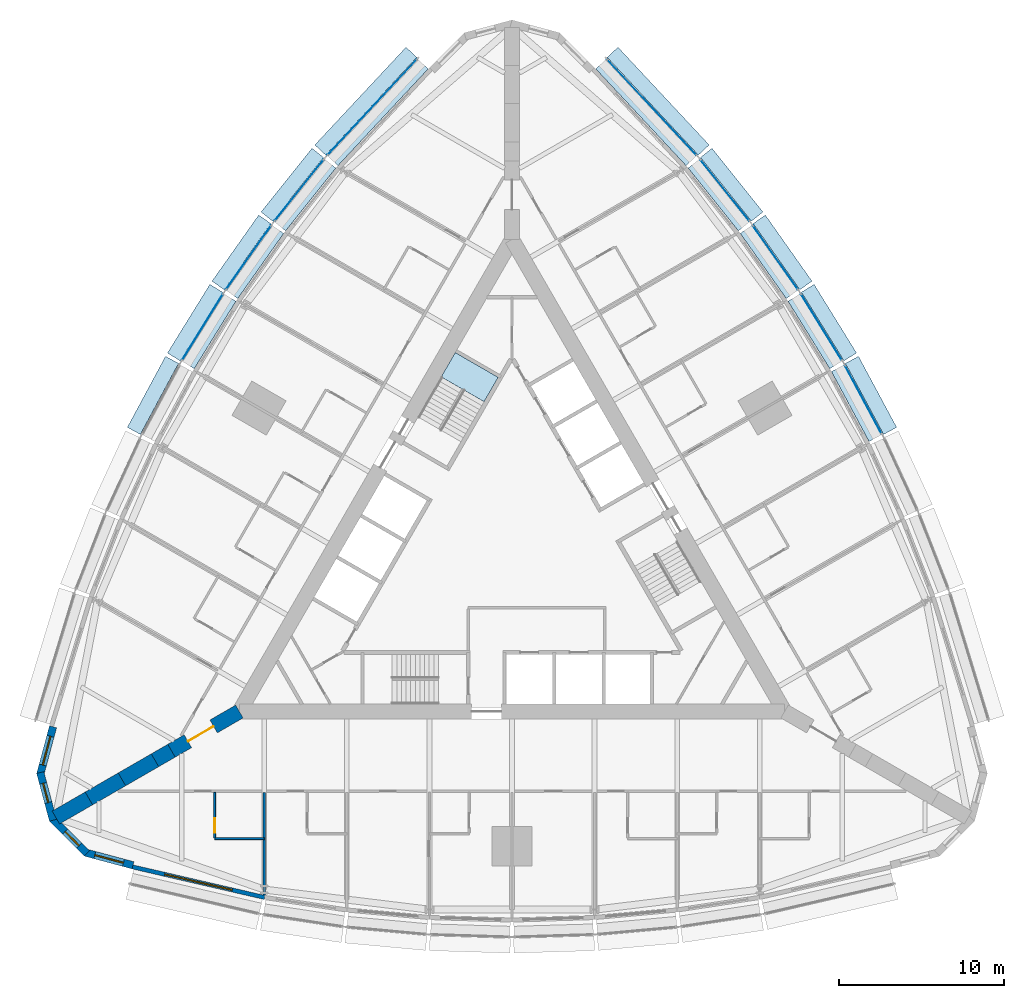
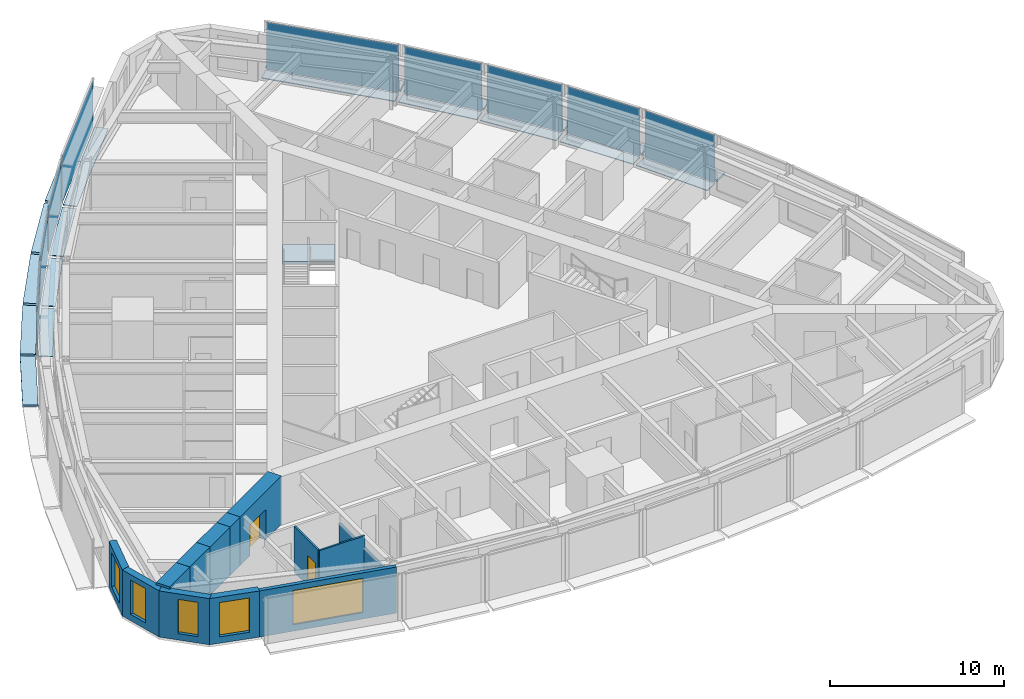
# One storey, part 7 of 14: 28 plates, 13 walls, 5 windows, 2 doors, 1 slab, 7 openings, 10 elements without a shape of their own.
"""IFC4 building model written with IfcOpenShell, lengths in metres."""

from ifc_helpers import new_model, si_unit, direction, frame, frame_2d, origin, origin_2d, place, context, subcontext, project, spatial, polyline, rectangle, outline, extrude, material, layer, layer_set, type_object, element, fill, aggregate, save


model = new_model("IFC4")

# Units and contexts
model_context = context("Model", 3, precision=1e-05, world=origin(), true_north=direction((0.0, 1.0)))
body_context = subcontext(model_context, "Body", "Model", "MODEL_VIEW")
ifc_project = project(units=[si_unit("LENGTHUNIT", "METRE"), si_unit("AREAUNIT", "SQUARE_METRE"), si_unit("VOLUMEUNIT", "CUBIC_METRE"), si_unit("PLANEANGLEUNIT", "RADIAN"), si_unit("MASSUNIT", "GRAM", prefix="KILO")], contexts=[model_context])

# Site, building, storey
site_placement = place(None, origin())
site = spatial("IfcSite", under=ifc_project, at=site_placement, CompositionType="ELEMENT")
building_placement = place(site_placement, origin())
building = spatial("IfcBuilding", under=site, at=building_placement, Name="Trikona Tower", CompositionType="ELEMENT")
storey_placement = place(building_placement, frame((0.0, 0.0, 69.300048828125)))
storey = spatial("IfcBuildingStorey", under=building, at=storey_placement, Name="L17", CompositionType="ELEMENT", Elevation=69.300048828125)

# Plates
ifc_material_1 = material(Name="Aluminium bar grating", Category="aluminium")
ifc_layer_1 = layer(ifc_material_1, 0.050048828125)
ifc_layer_set_1 = layer_set([ifc_layer_1], Name="Cavity catwalk grating")
plate_type_1 = type_object("IfcPlateType", Name="Cavity catwalk grating", PredefinedType="USERDEFINED", material=ifc_layer_set_1)
for number, where, z_axis, x_axis, name in (
    (1, (20.833740234375, 9.127197265625, -0.05029296875), (0.0, 0.0, 1.0), (-0.473422672721, 0.880835383572, 0.0), "Cavity catwalk L17-15"),
    (2, (18.3212890625, 13.47900390625, -0.05029296875), (0.0, 0.0, 1.0), (-0.526118935114, 0.85041099835, 0.0), "Cavity catwalk L17-16"),
):
    element("IfcPlate", number, at=place(storey_placement, frame(where, z_axis=z_axis, x_axis=x_axis)), inside=storey, type_object=plate_type_1, Name=name, ObjectType="CATWALK GRATING", PredefinedType="USERDEFINED", context=body_context, shape_type="SweptSolid", body=[
        extrude(rectangle(XDim=4.80224609375, YDim=0.820068359375, at=origin_2d()), origin(), (0.0, 0.0, 1.0), 0.050048828125),
    ])
plate_1_placement = place(storey_placement, frame((15.544189453125, 17.677734375, -0.05029296875), z_axis=(0.0, 0.0, 1.0), x_axis=(-0.576661909499, 0.816982889743, 0.0)))
element("IfcPlate", 3, at=plate_1_placement, inside=storey, type_object=plate_type_1, Name="Cavity catwalk L17-17", ObjectType="CATWALK GRATING", PredefinedType="USERDEFINED", context=body_context, shape_type="SweptSolid", body=[
    extrude(rectangle(XDim=4.82080078125, YDim=0.820068359375, at=origin_2d()), origin(), (0.0, 0.0, 1.0), 0.050048828125),
])
plate_2_placement = place(storey_placement, frame((12.502197265625, 21.72314453125, -0.05029296875), z_axis=(0.0, 0.0, 1.0), x_axis=(-0.624603618277, 0.780941944087, 0.0)))
element("IfcPlate", 4, at=plate_2_placement, inside=storey, type_object=plate_type_1, Name="Cavity catwalk L17-18", ObjectType="CATWALK GRATING", PredefinedType="USERDEFINED", context=body_context, shape_type="SweptSolid", body=[
    extrude(rectangle(XDim=4.857666015625, YDim=0.820068359375, at=origin_2d()), origin(), (0.0, 0.0, 1.0), 0.050048828125),
])
for number, where, z_axis, x_axis, name in (
    (5, (8.10107421875, 26.72314453125, -0.05029296875), (0.0, 0.0, 1.0), (-0.682298269147, 0.731073916864, 0.0), "Cavity catwalk L17-19"),
    (6, (-8.10107421875, 26.72314453125, -0.05029296875), (0.0, 0.0, 1.0), (-0.682298269147, -0.731073916864, 0.0), "Cavity catwalk L17-24"),
):
    element("IfcPlate", number, at=place(storey_placement, frame(where, z_axis=z_axis, x_axis=x_axis)), inside=storey, type_object=plate_type_1, Name=name, ObjectType="CATWALK GRATING", PredefinedType="USERDEFINED", context=body_context, shape_type="SweptSolid", body=[
        extrude(rectangle(XDim=8.01123046875, YDim=0.820068359375, at=origin_2d()), origin(), (0.0, 0.0, 1.0), 0.050048828125),
    ])
plate_3_placement = place(storey_placement, frame((-12.502197265625, 21.72314453125, -0.05029296875), z_axis=(0.0, 0.0, 1.0), x_axis=(-0.624603618277, -0.780941944087, 0.0)))
element("IfcPlate", 7, at=plate_3_placement, inside=storey, type_object=plate_type_1, Name="Cavity catwalk L17-25", ObjectType="CATWALK GRATING", PredefinedType="USERDEFINED", context=body_context, shape_type="SweptSolid", body=[
    extrude(rectangle(XDim=4.857666015625, YDim=0.820068359375, at=origin_2d()), origin(), (0.0, 0.0, 1.0), 0.050048828125),
])
plate_4_placement = place(storey_placement, frame((-15.544189453125, 17.677734375, -0.05029296875), z_axis=(0.0, 0.0, 1.0), x_axis=(-0.576661909499, -0.816982889743, 0.0)))
element("IfcPlate", 8, at=plate_4_placement, inside=storey, type_object=plate_type_1, Name="Cavity catwalk L17-26", ObjectType="CATWALK GRATING", PredefinedType="USERDEFINED", context=body_context, shape_type="SweptSolid", body=[
    extrude(rectangle(XDim=4.82080078125, YDim=0.820068359375, at=origin_2d()), origin(), (0.0, 0.0, 1.0), 0.050048828125),
])
plate_5_placement = place(storey_placement, frame((-18.3212890625, 13.47900390625, -0.05029296875), z_axis=(0.0, 0.0, 1.0), x_axis=(-0.526118935114, -0.85041099835, 0.0)))
element("IfcPlate", 9, at=plate_5_placement, inside=storey, type_object=plate_type_1, Name="Cavity catwalk L17-27", ObjectType="CATWALK GRATING", PredefinedType="USERDEFINED", context=body_context, shape_type="SweptSolid", body=[
    extrude(rectangle(XDim=4.80224609375, YDim=0.820068359375, at=origin_2d()), origin(), (0.0, 0.0, 1.0), 0.050048828125),
])

# Curtain wall, plate
ifc_material_2 = material(Name="Aluminium curtain wall system", Category="aluminium")
curtain_wall_type = type_object("IfcCurtainWallType", Name="Curtain wall DS1", PredefinedType="NOTDEFINED", material=ifc_material_2)
curtain_wall_1_placement = place(storey_placement, origin())
curtain_wall_1 = element("IfcCurtainWall", 10, at=curtain_wall_1_placement, inside=storey, type_object=curtain_wall_type, Name="Curtain wall DS1 L17", PredefinedType="NOTDEFINED")
ifc_material_3 = material(Name="Laminated clear glass", Category="glass")
ifc_layer_2 = layer(ifc_material_3, 0.028076171875)
ifc_layer_set_2 = layer_set([ifc_layer_2], Name="Glass panel DS1")
plate_type_2 = type_object("IfcPlateType", Name="Glass panel DS1", PredefinedType="CURTAIN_PANEL", material=ifc_layer_set_2)
plate_6_placement = place(storey_placement, frame((21.265380859375, 9.359130859375, 0.0), z_axis=(0.0, 0.0, 1.0), x_axis=(-0.473408350896, 0.880843080975, 0.0)))
plate_6 = element("IfcPlate", 11, at=plate_6_placement, type_object=plate_type_2, Name="CW-DS1 panel 1.1", PredefinedType="CURTAIN_PANEL", context=body_context, shape_type="SweptSolid", body=[
    extrude(rectangle(XDim=4.72216796875, YDim=0.028076171875, at=origin_2d()), origin(), (0.0, 0.0, 1.0), 3.320068359375),
])
aggregate(curtain_wall_1, [plate_6])

curtain_wall_2_placement = place(storey_placement, origin())
curtain_wall_2 = element("IfcCurtainWall", 12, at=curtain_wall_2_placement, inside=storey, type_object=curtain_wall_type, Name="Curtain wall DS1 L17", PredefinedType="NOTDEFINED")
plate_7_placement = place(storey_placement, frame((18.738037109375, 13.73681640625, 0.0), z_axis=(0.0, 0.0, 1.0), x_axis=(-0.526119790842, 0.850410468941, 0.0)))
plate_7 = element("IfcPlate", 13, at=plate_7_placement, type_object=plate_type_2, Name="CW-DS1 panel 1.1", PredefinedType="CURTAIN_PANEL", context=body_context, shape_type="SweptSolid", body=[
    extrude(rectangle(XDim=4.722412109375, YDim=0.028076171875, at=origin_2d()), origin(), (0.0, 0.0, 1.0), 3.320068359375),
])
aggregate(curtain_wall_2, [plate_7])

curtain_wall_3_placement = place(storey_placement, origin())
curtain_wall_3 = element("IfcCurtainWall", 14, at=curtain_wall_3_placement, inside=storey, type_object=curtain_wall_type, Name="Curtain wall DS1 L17", PredefinedType="NOTDEFINED")
plate_8_placement = place(storey_placement, frame((15.9443359375, 17.960205078125, 0.0), z_axis=(0.0, 0.0, 1.0), x_axis=(-0.576658362928, 0.816985393055, 0.0)))
plate_8 = element("IfcPlate", 15, at=plate_8_placement, type_object=plate_type_2, Name="CW-DS1 panel 1.1", PredefinedType="CURTAIN_PANEL", context=body_context, shape_type="SweptSolid", body=[
    extrude(rectangle(XDim=4.74072265625, YDim=0.028076171875, at=origin_2d()), origin(), (0.0, 0.0, 1.0), 3.320068359375),
])
aggregate(curtain_wall_3, [plate_8])

curtain_wall_4_placement = place(storey_placement, origin())
curtain_wall_4 = element("IfcCurtainWall", 16, at=curtain_wall_4_placement, inside=storey, type_object=curtain_wall_type, Name="Curtain wall DS1 L17", PredefinedType="NOTDEFINED")
plate_9_placement = place(storey_placement, frame((12.884765625, 22.029296875, 0.0), z_axis=(0.0, 0.0, 1.0), x_axis=(-0.624608599951, 0.780937959679, 0.0)))
plate_9 = element("IfcPlate", 17, at=plate_9_placement, type_object=plate_type_2, Name="CW-DS1 panel 1.1", PredefinedType="CURTAIN_PANEL", context=body_context, shape_type="SweptSolid", body=[
    extrude(rectangle(XDim=4.777587890625, YDim=0.028076171875, at=origin_2d()), origin(), (0.0, 0.0, 1.0), 3.320068359375),
])
aggregate(curtain_wall_4, [plate_9])

curtain_wall_5_placement = place(storey_placement, origin())
curtain_wall_5 = element("IfcCurtainWall", 18, at=curtain_wall_5_placement, inside=storey, type_object=curtain_wall_type, Name="Curtain wall DS1 L17", PredefinedType="NOTDEFINED")
plate_10_placement = place(storey_placement, frame((8.459228515625, 27.057373046875, 0.0), z_axis=(0.0, 0.0, 1.0), x_axis=(-0.682295351967, 0.731076639405, 0.0)))
plate_10 = element("IfcPlate", 19, at=plate_10_placement, type_object=plate_type_2, Name="CW-DS1 panel 1.1", PredefinedType="CURTAIN_PANEL", context=body_context, shape_type="SweptSolid", body=[
    extrude(rectangle(XDim=7.93115234375, YDim=0.028076171875, at=origin_2d()), origin(), (0.0, 0.0, 1.0), 3.320068359375),
])
aggregate(curtain_wall_5, [plate_10])

curtain_wall_6_placement = place(storey_placement, origin())
curtain_wall_6 = element("IfcCurtainWall", 20, at=curtain_wall_6_placement, inside=storey, type_object=curtain_wall_type, Name="Curtain wall DS1 L17", PredefinedType="NOTDEFINED")
plate_11_placement = place(storey_placement, frame((-8.459228515625, 27.057373046875, 0.0), z_axis=(0.0, 0.0, 1.0), x_axis=(-0.682295351967, -0.731076639405, 0.0)))
plate_11 = element("IfcPlate", 21, at=plate_11_placement, type_object=plate_type_2, Name="CW-DS1 panel 1.1", PredefinedType="CURTAIN_PANEL", context=body_context, shape_type="SweptSolid", body=[
    extrude(rectangle(XDim=7.93115234375, YDim=0.028076171875, at=origin_2d()), origin(), (0.0, 0.0, 1.0), 3.320068359375),
])
aggregate(curtain_wall_6, [plate_11])

curtain_wall_7_placement = place(storey_placement, origin())
curtain_wall_7 = element("IfcCurtainWall", 22, at=curtain_wall_7_placement, inside=storey, type_object=curtain_wall_type, Name="Curtain wall DS1 L17", PredefinedType="NOTDEFINED")
plate_12_placement = place(storey_placement, frame((-12.884765625, 22.029296875, 0.0), z_axis=(0.0, 0.0, 1.0), x_axis=(-0.624608599951, -0.780937959679, 0.0)))
plate_12 = element("IfcPlate", 23, at=plate_12_placement, type_object=plate_type_2, Name="CW-DS1 panel 1.1", PredefinedType="CURTAIN_PANEL", context=body_context, shape_type="SweptSolid", body=[
    extrude(rectangle(XDim=4.777587890625, YDim=0.028076171875, at=origin_2d()), origin(), (0.0, 0.0, 1.0), 3.320068359375),
])
aggregate(curtain_wall_7, [plate_12])

curtain_wall_8_placement = place(storey_placement, origin())
curtain_wall_8 = element("IfcCurtainWall", 24, at=curtain_wall_8_placement, inside=storey, type_object=curtain_wall_type, Name="Curtain wall DS1 L17", PredefinedType="NOTDEFINED")
plate_13_placement = place(storey_placement, frame((-15.9443359375, 17.960205078125, 0.0), z_axis=(0.0, 0.0, 1.0), x_axis=(-0.576658362928, -0.816985393055, 0.0)))
plate_13 = element("IfcPlate", 25, at=plate_13_placement, type_object=plate_type_2, Name="CW-DS1 panel 1.1", PredefinedType="CURTAIN_PANEL", context=body_context, shape_type="SweptSolid", body=[
    extrude(rectangle(XDim=4.74072265625, YDim=0.028076171875, at=origin_2d()), origin(), (0.0, 0.0, 1.0), 3.320068359375),
])
aggregate(curtain_wall_8, [plate_13])

curtain_wall_9_placement = place(storey_placement, origin())
curtain_wall_9 = element("IfcCurtainWall", 26, at=curtain_wall_9_placement, inside=storey, type_object=curtain_wall_type, Name="Curtain wall DS1 L17", PredefinedType="NOTDEFINED")
plate_14_placement = place(storey_placement, frame((-18.738037109375, 13.73681640625, 0.0), z_axis=(0.0, 0.0, 1.0), x_axis=(-0.526119790842, -0.850410468941, 0.0)))
plate_14 = element("IfcPlate", 27, at=plate_14_placement, type_object=plate_type_2, Name="CW-DS1 panel 1.1", PredefinedType="CURTAIN_PANEL", context=body_context, shape_type="SweptSolid", body=[
    extrude(rectangle(XDim=4.722412109375, YDim=0.028076171875, at=origin_2d()), origin(), (0.0, 0.0, 1.0), 3.320068359375),
])
aggregate(curtain_wall_9, [plate_14])

# Plates
ifc_material_4 = material(Name="Aluminium plate fin, pale anodised, on stainless steel outriggers", Category="steel")
ifc_layer_3 = layer(ifc_material_4, 0.14990234375)
ifc_layer_set_3 = layer_set([ifc_layer_3], Name="Outer skin fin 900")
plate_type_3 = type_object("IfcPlateType", Name="Outer skin fin 900", PredefinedType="USERDEFINED", material=ifc_layer_set_3)
for number, where, z_axis, x_axis, name in (
    (28, (21.732421875, 9.610107421875, 0.0), (0.0, 0.0, 1.0), (-0.473422672721, 0.880835383572, 0.0), "Outer skin fin L17-15"),
    (29, (19.188720703125, 14.015625, 0.0), (0.0, 0.0, 1.0), (-0.526118935114, 0.85041099835, 0.0), "Outer skin fin L17-16"),
):
    element("IfcPlate", number, at=place(storey_placement, frame(where, z_axis=z_axis, x_axis=x_axis)), inside=storey, type_object=plate_type_3, Name=name, ObjectType="FIN", PredefinedType="USERDEFINED", context=body_context, shape_type="SweptSolid", body=[
        extrude(rectangle(XDim=4.88232421875, YDim=0.89990234375, at=origin_2d()), origin(), (0.0, 0.0, 1.0), 0.14990234375),
    ])
plate_15_placement = place(storey_placement, frame((16.37744140625, 18.265869140625, 0.0), z_axis=(0.0, 0.0, 1.0), x_axis=(-0.576661909499, 0.816982889743, 0.0)))
element("IfcPlate", 30, at=plate_15_placement, inside=storey, type_object=plate_type_3, Name="Outer skin fin L17-17", ObjectType="FIN", PredefinedType="USERDEFINED", context=body_context, shape_type="SweptSolid", body=[
    extrude(rectangle(XDim=4.90087890625, YDim=0.89990234375, at=origin_2d()), origin(), (0.0, 0.0, 1.0), 0.14990234375),
])
plate_16_placement = place(storey_placement, frame((13.298583984375, 22.360107421875, 0.0), z_axis=(0.0, 0.0, 1.0), x_axis=(-0.624603618277, 0.780941944087, 0.0)))
element("IfcPlate", 31, at=plate_16_placement, inside=storey, type_object=plate_type_3, Name="Outer skin fin L17-18", ObjectType="FIN", PredefinedType="USERDEFINED", context=body_context, shape_type="SweptSolid", body=[
    extrude(rectangle(XDim=4.9375, YDim=0.89990234375, at=origin_2d()), origin(), (0.0, 0.0, 1.0), 0.14990234375),
])
for number, where, z_axis, x_axis, name in (
    (32, (8.8466796875, 27.419189453125, 0.0), (0.0, 0.0, 1.0), (-0.682298269147, 0.731073916864, 0.0), "Outer skin fin L17-19"),
    (33, (-8.8466796875, 27.419189453125, 0.0), (0.0, 0.0, 1.0), (-0.682298269147, -0.731073916864, 0.0), "Outer skin fin L17-24"),
):
    element("IfcPlate", number, at=place(storey_placement, frame(where, z_axis=z_axis, x_axis=x_axis)), inside=storey, type_object=plate_type_3, Name=name, ObjectType="FIN", PredefinedType="USERDEFINED", context=body_context, shape_type="SweptSolid", body=[
        extrude(rectangle(XDim=8.09130859375, YDim=0.89990234375, at=origin_2d()), origin(), (0.0, 0.0, 1.0), 0.14990234375),
    ])
plate_17_placement = place(storey_placement, frame((-13.298583984375, 22.360107421875, 0.0), z_axis=(0.0, 0.0, 1.0), x_axis=(-0.624603618277, -0.780941944087, 0.0)))
element("IfcPlate", 34, at=plate_17_placement, inside=storey, type_object=plate_type_3, Name="Outer skin fin L17-25", ObjectType="FIN", PredefinedType="USERDEFINED", context=body_context, shape_type="SweptSolid", body=[
    extrude(rectangle(XDim=4.9375, YDim=0.89990234375, at=origin_2d()), origin(), (0.0, 0.0, 1.0), 0.14990234375),
])
plate_18_placement = place(storey_placement, frame((-16.37744140625, 18.265869140625, 0.0), z_axis=(0.0, 0.0, 1.0), x_axis=(-0.576661909499, -0.816982889743, 0.0)))
element("IfcPlate", 35, at=plate_18_placement, inside=storey, type_object=plate_type_3, Name="Outer skin fin L17-26", ObjectType="FIN", PredefinedType="USERDEFINED", context=body_context, shape_type="SweptSolid", body=[
    extrude(rectangle(XDim=4.90087890625, YDim=0.89990234375, at=origin_2d()), origin(), (0.0, 0.0, 1.0), 0.14990234375),
])
for number, where, z_axis, x_axis, name in (
    (36, (-19.188720703125, 14.015625, 0.0), (0.0, 0.0, 1.0), (-0.526118935114, -0.85041099835, 0.0), "Outer skin fin L17-27"),
    (37, (-21.732421875, 9.610107421875, 0.0), (0.0, 0.0, 1.0), (-0.473422672721, -0.880835383572, 0.0), "Outer skin fin L17-28"),
):
    element("IfcPlate", number, at=place(storey_placement, frame(where, z_axis=z_axis, x_axis=x_axis)), inside=storey, type_object=plate_type_3, Name=name, ObjectType="FIN", PredefinedType="USERDEFINED", context=body_context, shape_type="SweptSolid", body=[
        extrude(rectangle(XDim=4.88232421875, YDim=0.89990234375, at=origin_2d()), origin(), (0.0, 0.0, 1.0), 0.14990234375),
    ])

# Stair, slab
ifc_material_5 = material(Name="Concrete f'c 5000 psi", Category="concrete")
stair_type = type_object("IfcStairType", Name="Core stair", PredefinedType="HALF_TURN_STAIR", material=ifc_material_5)
stair_placement = place(storey_placement, origin())
stair = element("IfcStair", 38, at=stair_placement, inside=storey, type_object=stair_type, Name="Stair C L17", PredefinedType="HALF_TURN_STAIR")
ifc_material_6 = material(Name="Concrete f'c 5000 psi", Category="concrete")
ifc_layer_4 = layer(ifc_material_6, 0.199951171875)
ifc_layer_set_4 = layer_set([ifc_layer_4], Name="Stair landing 200")
slab_type = type_object("IfcSlabType", Name="Stair landing 200", PredefinedType="LANDING", material=ifc_layer_set_4)
slab_placement = place(storey_placement, frame((0.0, 0.0, 1.5)))
slab = element("IfcSlab", 39, at=slab_placement, type_object=slab_type, Name="ST-C landing 2", PredefinedType="LANDING", context=body_context, shape_type="SweptSolid", body=[
    extrude(outline(polyline([(-0.837158203125, 10.702392578125), (-1.688720703125, 9.2275390625), (-4.286865234375, 10.7275390625), (-3.435302734375, 12.202392578125), (-0.837158203125, 10.702392578125)])), origin(), (0.0, 0.0, 1.0), 0.199951171875),
])
aggregate(stair, [slab])

# Wall
ifc_material_7 = material(Name="Metal stud and cement board", Category="gypsum")
ifc_layer_5 = layer(ifc_material_7, 0.1201171875)
ifc_layer_set_5 = layer_set([ifc_layer_5], Name="Bathroom wall 120")
wall_type_1 = type_object("IfcWallType", Name="Bathroom wall 120", PredefinedType="PLUMBINGWALL", material=ifc_layer_set_5)
wall_1_placement = place(storey_placement, frame((-18.0, -17.226318359375, 0.0), z_axis=(0.0, 0.0, 1.0), x_axis=(1.0, 0.0, 0.0)))
element("IfcWall", 40, at=wall_1_placement, inside=storey, type_object=wall_type_1, Name="Bathroom wall 1701", PredefinedType="PLUMBINGWALL", context=body_context, shape_type="SweptSolid", body=[
    extrude(rectangle(XDim=3.0, YDim=0.1201171875, at=frame_2d((1.5, 0.0))), origin(), (0.0, 0.0, 1.0), 3.23486328125),
])

# Wall, opening, door
wall_2_placement = place(storey_placement, frame((-18.0, -14.42626953125, 0.0), z_axis=(0.0, 0.0, 1.0), x_axis=(0.0, -1.0, 0.0)))
wall_2 = element("IfcWall", 41, at=wall_2_placement, inside=storey, type_object=wall_type_1, Name="Bathroom wall 1701", PredefinedType="PLUMBINGWALL", context=body_context, shape_type="SweptSolid", body=[
    extrude(rectangle(XDim=2.739990234375, YDim=0.1201171875, at=frame_2d((1.3701171875, 0.0))), origin(), (0.0, 0.0, 1.0), 3.23486328125),
])
opening_1_placement = place(wall_2_placement, frame((1.550048828125, 0.0, 0.0)))
opening_1 = element("IfcOpeningElement", 42, at=opening_1_placement, cuts=wall_2, Name="Opening D2", PredefinedType="OPENING", context=body_context, shape_type="SweptSolid", body=[
    extrude(rectangle(XDim=0.89990234375, YDim=2.1298828125, at=frame_2d((0.449951171875, 1.06494140625))), frame((0.0, 0.070068359375, 0.0), z_axis=(0.0, -1.0, 0.0), x_axis=(1.0, 0.0, 0.0)), (0.0, 0.0, 1.0), 0.14013671875),
])
ifc_material_8 = material(Name="Steel door frame with solid-core timber leaf", Category="steel")
door_type_1 = type_object("IfcDoorType", Name="Bathroom door 900x2130", OperationType="SLIDING_TO_LEFT", PredefinedType="DOOR", material=ifc_material_8)
door_1_placement = place(opening_1_placement, origin())
door_1 = element("IfcDoor", 43, at=door_1_placement, inside=storey, type_object=door_type_1, Name="Bathroom door 1701", OperationType="SLIDING_TO_LEFT", OverallHeight=2.1298828125, OverallWidth=0.89990234375, PredefinedType="DOOR", context=body_context, shape_type="SweptSolid", body=[
    extrude(rectangle(XDim=0.89990234375, YDim=2.1298828125, at=frame_2d((0.449951171875, 1.06494140625))), frame((0.0, 0.02490234375, 0.0), z_axis=(0.0, -1.0, 0.0), x_axis=(1.0, 0.0, 0.0)), (0.0, 0.0, 1.0), 0.050048828125),
])
fill(opening_1, door_1)

# Wall, opening, window
ifc_material_9 = material(Name="Brick-faced precast concrete", Category="masonry")
ifc_layer_6 = layer(ifc_material_9, 0.449951171875)
ifc_layer_set_6 = layer_set([ifc_layer_6], Name="Brick-faced corner wall 450")
wall_type_2 = type_object("IfcWallType", Name="Brick-faced corner wall 450", PredefinedType="SOLIDWALL", material=ifc_layer_set_6)
wall_3_placement = place(storey_placement, frame((-27.78271484375, -10.450439453125, 0.0), z_axis=(0.0, 0.0, 1.0), x_axis=(-0.258780998834, -0.965936019953, 0.0)))
wall_3 = element("IfcWall", 44, at=wall_3_placement, inside=storey, type_object=wall_type_2, Name="External wall L17-32", PredefinedType="SOLIDWALL", context=body_context, shape_type="SweptSolid", body=[
    extrude(rectangle(XDim=2.98876953125, YDim=0.449951171875, at=frame_2d((1.494384765625, 0.0))), origin(), (0.0, 0.0, 1.0), 3.23486328125),
])
opening_2_placement = place(wall_3_placement, frame((0.59423828125, 0.0, 0.449951171875)))
opening_2 = element("IfcOpeningElement", 45, at=opening_2_placement, cuts=wall_3, Name="Opening W1824", PredefinedType="OPENING", context=body_context, shape_type="SweptSolid", body=[
    extrude(rectangle(XDim=1.800048828125, YDim=2.39990234375, at=frame_2d((0.89990234375, 1.199951171875))), frame((0.0, 0.23486328125, 0.0), z_axis=(0.0, -1.0, 0.0), x_axis=(1.0, 0.0, 0.0)), (0.0, 0.0, 1.0), 0.469970703125),
])
ifc_material_10 = material(Name="Aluminium-framed double glazing", Category="aluminium")
window_type_1 = type_object("IfcWindowType", Name="Window 1800x2400", PartitioningType="SINGLE_PANEL", PredefinedType="WINDOW", material=ifc_material_10)
window_1_placement = place(opening_2_placement, origin())
window_1 = element("IfcWindow", 46, at=window_1_placement, inside=storey, type_object=window_type_1, Name="Window 1716", OverallHeight=2.39990234375, OverallWidth=1.800048828125, PartitioningType="SINGLE_PANEL", PredefinedType="WINDOW", context=body_context, shape_type="SweptSolid", body=[
    extrude(rectangle(XDim=1.800048828125, YDim=2.39990234375, at=frame_2d((0.89990234375, 1.199951171875))), frame((0.0, 0.030029296875, 0.0), z_axis=(0.0, -1.0, 0.0), x_axis=(1.0, 0.0, 0.0)), (0.0, 0.0, 1.0), 0.06005859375),
])
fill(opening_2, window_1)

wall_4_placement = place(storey_placement, frame((-28.55615234375, -13.220947265625, 0.0), z_axis=(0.0, 0.0, 1.0), x_axis=(0.258801419081, -0.965930548995, 0.0)))
wall_4 = element("IfcWall", 47, at=wall_4_placement, inside=storey, type_object=wall_type_2, Name="External wall L17-33", PredefinedType="SOLIDWALL", context=body_context, shape_type="SweptSolid", body=[
    extrude(outline(polyline([(2.988525390625, 0.22509765625), (2.928955078125, 0.22509765625), (2.437255859375, 0.09326171875), (2.402099609375, 0.22509765625), (0.0, 0.22509765625), (0.0, -0.22509765625), (2.988525390625, -0.22509765625), (2.988525390625, 0.22509765625)])), origin(), (0.0, 0.0, 1.0), 3.23486328125),
])
opening_3_placement = place(wall_4_placement, frame((0.676025390625, 0.0, 0.449951171875)))
opening_3 = element("IfcOpeningElement", 48, at=opening_3_placement, cuts=wall_4, Name="Opening W1224", PredefinedType="OPENING", context=body_context, shape_type="SweptSolid", body=[
    extrude(rectangle(XDim=1.199951171875, YDim=2.39990234375, at=frame_2d((0.60009765625, 1.199951171875))), frame((0.0, 0.23486328125, 0.0), z_axis=(0.0, -1.0, 0.0), x_axis=(1.0, 0.0, 0.0)), (0.0, 0.0, 1.0), 0.469970703125),
])
ifc_material_11 = material(Name="Aluminium-framed double glazing", Category="aluminium")
window_type_2 = type_object("IfcWindowType", Name="Window 1200x2400", PartitioningType="SINGLE_PANEL", PredefinedType="WINDOW", material=ifc_material_11)
window_2_placement = place(opening_3_placement, origin())
window_2 = element("IfcWindow", 49, at=window_2_placement, inside=storey, type_object=window_type_2, Name="Window 1716", OverallHeight=2.39990234375, OverallWidth=1.199951171875, PartitioningType="SINGLE_PANEL", PredefinedType="WINDOW", context=body_context, shape_type="SweptSolid", body=[
    extrude(rectangle(XDim=1.199951171875, YDim=2.39990234375, at=frame_2d((0.60009765625, 1.199951171875))), frame((0.0, 0.030029296875, 0.0), z_axis=(0.0, -1.0, 0.0), x_axis=(1.0, 0.0, 0.0)), (0.0, 0.0, 1.0), 0.06005859375),
])
fill(opening_3, window_2)

wall_5_placement = place(storey_placement, frame((-27.8408203125, -16.006591796875, 0.0), z_axis=(0.0, 0.0, 1.0), x_axis=(0.707025086683, -0.707188466253, 0.0)))
wall_5 = element("IfcWall", 50, at=wall_5_placement, inside=storey, type_object=wall_type_2, Name="External wall L17-34", PredefinedType="SOLIDWALL", context=body_context, shape_type="SweptSolid", body=[
    extrude(outline(polyline([(2.988525390625, 0.22509765625), (0.58642578125, 0.22509765625), (0.551025390625, 0.093017578125), (0.058837890625, 0.22509765625), (0.0, 0.22509765625), (0.0, -0.22509765625), (2.988525390625, -0.22509765625), (2.988525390625, 0.22509765625)])), origin(), (0.0, 0.0, 1.0), 3.23486328125),
])
opening_4_placement = place(wall_5_placement, frame((1.112548828125, 0.0, 0.449951171875)))
opening_4 = element("IfcOpeningElement", 51, at=opening_4_placement, cuts=wall_5, Name="Opening W1224", PredefinedType="OPENING", context=body_context, shape_type="SweptSolid", body=[
    extrude(rectangle(XDim=1.199951171875, YDim=2.39990234375, at=frame_2d((0.60009765625, 1.199951171875))), frame((0.0, 0.23486328125, 0.0), z_axis=(0.0, -1.0, 0.0), x_axis=(1.0, 0.0, 0.0)), (0.0, 0.0, 1.0), 0.469970703125),
])
window_3_placement = place(opening_4_placement, origin())
window_3 = element("IfcWindow", 52, at=window_3_placement, inside=storey, type_object=window_type_2, Name="Window 1701", OverallHeight=2.39990234375, OverallWidth=1.199951171875, PartitioningType="SINGLE_PANEL", PredefinedType="WINDOW", context=body_context, shape_type="SweptSolid", body=[
    extrude(rectangle(XDim=1.199951171875, YDim=2.39990234375, at=frame_2d((0.60009765625, 1.199951171875))), frame((0.0, 0.030029296875, 0.0), z_axis=(0.0, -1.0, 0.0), x_axis=(1.0, 0.0, 0.0)), (0.0, 0.0, 1.0), 0.06005859375),
])
fill(opening_4, window_3)

wall_6_placement = place(storey_placement, frame((-25.82861328125, -18.061767578125, 0.0), z_axis=(0.0, 0.0, 1.0), x_axis=(0.965930548995, -0.258801419081, 0.0)))
wall_6 = element("IfcWall", 53, at=wall_6_placement, inside=storey, type_object=wall_type_2, Name="External wall L17-35", PredefinedType="SOLIDWALL", context=body_context, shape_type="SweptSolid", body=[
    extrude(rectangle(XDim=2.988525390625, YDim=0.449951171875, at=frame_2d((1.494140625, 0.0))), origin(), (0.0, 0.0, 1.0), 3.23486328125),
])
opening_5_placement = place(wall_6_placement, frame((0.59423828125, 0.0, 0.449951171875)))
opening_5 = element("IfcOpeningElement", 54, at=opening_5_placement, cuts=wall_6, Name="Opening W1824", PredefinedType="OPENING", context=body_context, shape_type="SweptSolid", body=[
    extrude(rectangle(XDim=1.800048828125, YDim=2.39990234375, at=frame_2d((0.89990234375, 1.199951171875))), frame((0.0, 0.23486328125, 0.0), z_axis=(0.0, -1.0, 0.0), x_axis=(1.0, 0.0, 0.0)), (0.0, 0.0, 1.0), 0.469970703125),
])
window_4_placement = place(opening_5_placement, origin())
window_4 = element("IfcWindow", 55, at=window_4_placement, inside=storey, type_object=window_type_1, Name="Window 1701", OverallHeight=2.39990234375, OverallWidth=1.800048828125, PartitioningType="SINGLE_PANEL", PredefinedType="WINDOW", context=body_context, shape_type="SweptSolid", body=[
    extrude(rectangle(XDim=1.800048828125, YDim=2.39990234375, at=frame_2d((0.89990234375, 1.199951171875))), frame((0.0, 0.030029296875, 0.0), z_axis=(0.0, -1.0, 0.0), x_axis=(1.0, 0.0, 0.0)), (0.0, 0.0, 1.0), 0.06005859375),
])
fill(opening_5, window_4)

# Wall, opening, door
ifc_material_12 = material(Name="Concrete f'c 10000 psi", Category="concrete")
ifc_layer_7 = layer(ifc_material_12, 0.89990234375)
ifc_layer_set_7 = layer_set([ifc_layer_7], Name="Buttress wall 900")
wall_type_3 = type_object("IfcWallType", Name="Buttress wall 900", PredefinedType="SHEAR", material=ifc_layer_set_7)
wall_7_placement = place(storey_placement, frame((-16.5, -9.5263671875, 0.0), z_axis=(0.0, 0.0, 1.0), x_axis=(-0.866031398331, -0.499989616998, 0.0)))
wall_7 = element("IfcWall", 56, at=wall_7_placement, inside=storey, type_object=wall_type_3, Name="Buttress wall 3", PredefinedType="SHEAR", context=body_context, shape_type="SweptSolid", body=[
    extrude(rectangle(XDim=4.74609375, YDim=0.89990234375, at=frame_2d((2.373046875, 0.0))), origin(), (0.0, 0.0, 1.0), 3.39990234375),
])
opening_6_placement = place(wall_7_placement, frame((1.800048828125, 0.0, 0.0)))
opening_6 = element("IfcOpeningElement", 57, at=opening_6_placement, cuts=wall_7, Name="Opening D10", PredefinedType="OPENING", context=body_context, shape_type="SweptSolid", body=[
    extrude(rectangle(XDim=1.800048828125, YDim=2.1298828125, at=frame_2d((0.89990234375, 1.06494140625))), frame((0.0, 0.4599609375, 0.0), z_axis=(0.0, -1.0, 0.0), x_axis=(1.0, 0.0, 0.0)), (0.0, 0.0, 1.0), 0.919921875),
])
ifc_material_13 = material(Name="Hollow metal door and frame", Category="steel")
door_type_2 = type_object("IfcDoorType", Name="Cross-corridor door pair 1800x2130", OperationType="DOUBLE_DOOR_DOUBLE_SWING", PredefinedType="DOOR", material=ifc_material_13)
door_2_placement = place(opening_6_placement, origin())
door_2 = element("IfcDoor", 58, at=door_2_placement, inside=storey, type_object=door_type_2, Name="Cross-corridor door 3", OperationType="DOUBLE_DOOR_DOUBLE_SWING", OverallHeight=2.1298828125, OverallWidth=1.800048828125, PredefinedType="DOOR", context=body_context, shape_type="SweptSolid", body=[
    extrude(rectangle(XDim=1.800048828125, YDim=2.1298828125, at=frame_2d((0.89990234375, 1.06494140625))), frame((0.0, 0.02490234375, 0.0), z_axis=(0.0, -1.0, 0.0), x_axis=(1.0, 0.0, 0.0)), (0.0, 0.0, 1.0), 0.050048828125),
])
fill(opening_6, door_2)

# Walls
wall_8_placement = place(storey_placement, frame((-20.6103515625, -11.8994140625, 0.0), z_axis=(0.0, 0.0, 1.0), x_axis=(-0.866009537788, -0.500027479704, 0.0)))
element("IfcWall", 59, at=wall_8_placement, inside=storey, type_object=wall_type_3, Name="Buttress wall 3 part 2", PredefinedType="SHEAR", context=body_context, shape_type="SweptSolid", body=[
    extrude(rectangle(XDim=1.15478515625, YDim=0.89990234375, at=frame_2d((0.577392578125, 0.0))), origin(), (0.0, 0.0, 1.0), 3.39990234375),
])
for number, where, z_axis, x_axis, name in (
    (60, (-21.6103515625, -12.476806640625, 0.0), (0.0, 0.0, 1.0), (-0.866055313784, -0.499948190782, 0.0), "Buttress wall 3 part 3"),
    (61, (-23.6103515625, -13.63134765625, 0.0), (0.0, 0.0, 1.0), (-0.866009537788, -0.500027479704, 0.0), "Buttress wall 3 part 4"),
    (62, (-25.6103515625, -14.7861328125, 0.0), (0.0, 0.0, 1.0), (-0.866009537788, -0.500027479704, 0.0), "Buttress wall 3 part 5"),
):
    element("IfcWall", number, at=place(storey_placement, frame(where, z_axis=z_axis, x_axis=x_axis)), inside=storey, type_object=wall_type_3, Name=name, PredefinedType="SHEAR", context=body_context, shape_type="SweptSolid", body=[
        extrude(rectangle(XDim=2.309326171875, YDim=0.89990234375, at=frame_2d((1.15478515625, 0.0))), origin(), (0.0, 0.0, 1.0), 3.39990234375),
    ])

# Wall, opening, window
ifc_material_14 = material(Name="Insulated precast concrete spandrel panel", Category="concrete")
ifc_layer_8 = layer(ifc_material_14, 0.25)
ifc_layer_set_8 = layer_set([ifc_layer_8], Name="Inner skin wall 250")
wall_type_4 = type_object("IfcWallType", Name="Inner skin wall 250", PredefinedType="STANDARD", material=ifc_layer_set_8)
wall_9_placement = place(storey_placement, frame((-22.9716796875, -18.930908203125, 0.0), z_axis=(0.0, 0.0, 1.0), x_axis=(0.974279327392, -0.225343720163, 0.0)))
wall_9 = element("IfcWall", 63, at=wall_9_placement, inside=storey, type_object=wall_type_4, Name="External wall L17-00", PredefinedType="STANDARD", context=body_context, shape_type="SweptSolid", body=[
    extrude(rectangle(XDim=8.211181640625, YDim=0.25, at=frame_2d((4.10546875, 0.0))), origin(), (0.0, 0.0, 1.0), 3.23486328125),
])
opening_7_placement = place(wall_9_placement, frame((2.005615234375, 0.0, 0.449951171875)))
opening_7 = element("IfcOpeningElement", 64, at=opening_7_placement, cuts=wall_9, Name="Opening W4224", PredefinedType="OPENING", context=body_context, shape_type="SweptSolid", body=[
    extrude(rectangle(XDim=4.199951171875, YDim=2.39990234375, at=frame_2d((2.10009765625, 1.199951171875))), frame((0.0, 0.135009765625, 0.0), z_axis=(0.0, -1.0, 0.0), x_axis=(1.0, 0.0, 0.0)), (0.0, 0.0, 1.0), 0.27001953125),
])
ifc_material_15 = material(Name="Aluminium-framed double glazing", Category="aluminium")
window_type_3 = type_object("IfcWindowType", Name="Window 4200x2400", PartitioningType="SINGLE_PANEL", PredefinedType="WINDOW", material=ifc_material_15)
window_5_placement = place(opening_7_placement, origin())
window_5 = element("IfcWindow", 65, at=window_5_placement, inside=storey, type_object=window_type_3, Name="Window 1701", OverallHeight=2.39990234375, OverallWidth=4.199951171875, PartitioningType="SINGLE_PANEL", PredefinedType="WINDOW", context=body_context, shape_type="SweptSolid", body=[
    extrude(rectangle(XDim=4.199951171875, YDim=2.39990234375, at=frame_2d((2.10009765625, 1.199951171875))), frame((0.0, 0.030029296875, 0.0), z_axis=(0.0, -1.0, 0.0), x_axis=(1.0, 0.0, 0.0)), (0.0, 0.0, 1.0), 0.06005859375),
])
fill(opening_7, window_5)

# Wall
ifc_material_16 = material(Name="Metal stud and gypsum board, 1-hour acoustic", Category="gypsum")
ifc_layer_9 = layer(ifc_material_16, 0.14990234375)
ifc_layer_set_9 = layer_set([ifc_layer_9], Name="Party wall 150")
wall_type_5 = type_object("IfcWallType", Name="Party wall 150", PredefinedType="PARTITIONING", material=ifc_layer_set_9)
wall_10_placement = place(storey_placement, frame((-15.0, -14.42626953125, 0.0), z_axis=(0.0, 0.0, 1.0), x_axis=(0.0, -1.0, 0.0)))
element("IfcWall", 66, at=wall_10_placement, inside=storey, type_object=wall_type_5, Name="Partition L17 F1 u-15", PredefinedType="PARTITIONING", context=body_context, shape_type="SweptSolid", body=[
    extrude(rectangle(XDim=6.22021484375, YDim=0.14990234375, at=frame_2d((3.110107421875, 0.0))), origin(), (0.0, 0.0, 1.0), 2.38916015625),
])

save(model, "model.ifc")
